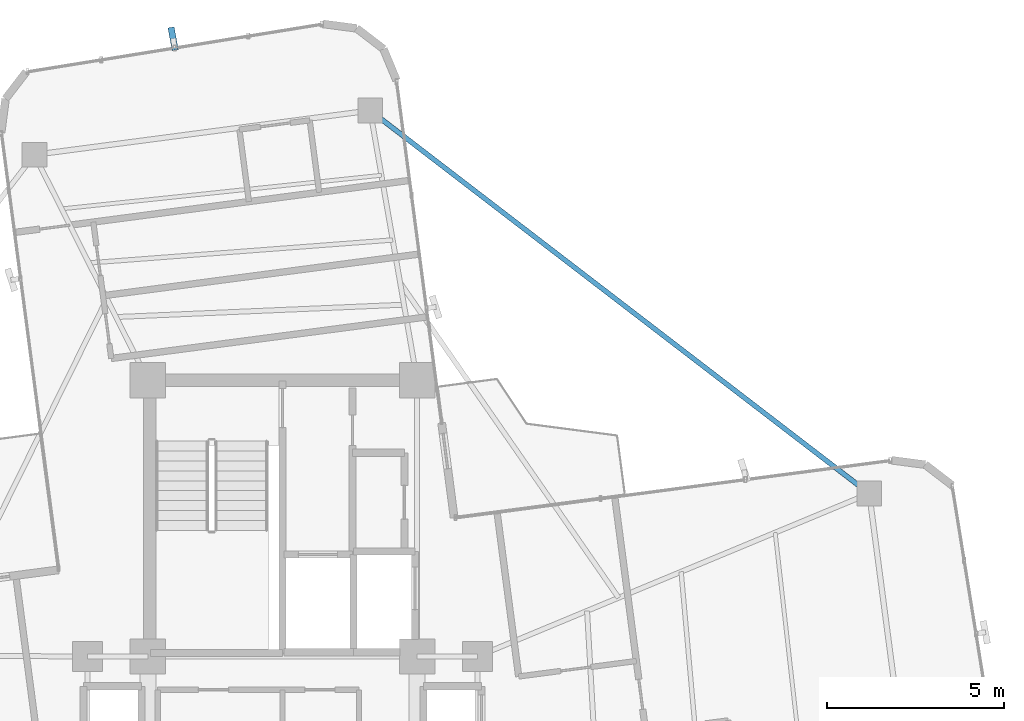
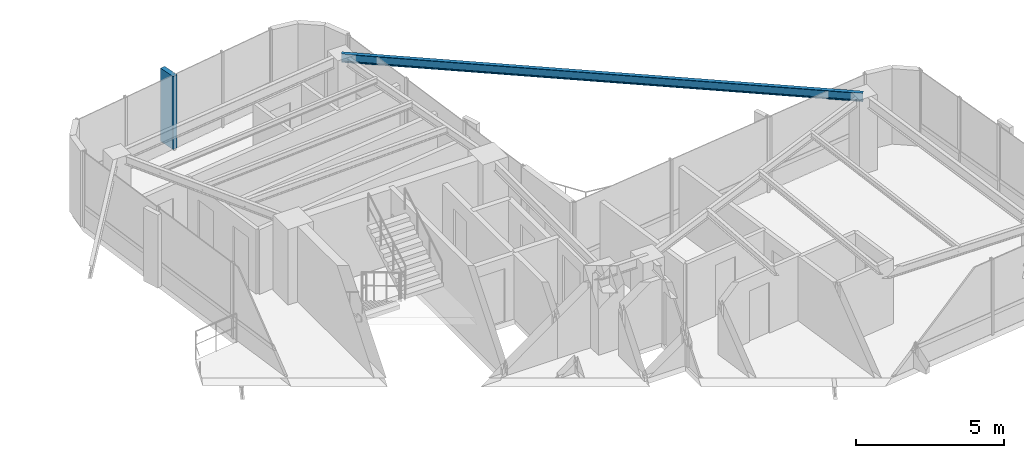
# One storey, part 15 of 22: 1 beam, 1 member, 1 element without a shape of its own.
"""IFC4 building model written with IfcOpenShell, lengths in metres."""

from ifc_helpers import new_model, si_unit, direction, frame, origin, origin_2d, place, context, subcontext, project, spatial, rectangle, i_section, extrude, source, transform, mapped, material, material_profile, profile_set, type_object, element, aggregate, save


model = new_model("IFC4")

# Units and contexts
model_context = context("Model", 3, precision=1e-05, world=origin(), true_north=direction((0.0, 1.0)))
body_context = subcontext(model_context, "Body", "Model", "MODEL_VIEW")
ifc_project = project(units=[si_unit("LENGTHUNIT", "METRE"), si_unit("AREAUNIT", "SQUARE_METRE"), si_unit("VOLUMEUNIT", "CUBIC_METRE"), si_unit("PLANEANGLEUNIT", "RADIAN"), si_unit("MASSUNIT", "GRAM", prefix="KILO")], contexts=[model_context])

# Site, building, storey
site_placement = place(None, origin())
site = spatial("IfcSite", under=ifc_project, at=site_placement, CompositionType="ELEMENT")
building_placement = place(site_placement, origin())
building = spatial("IfcBuilding", under=site, at=building_placement, Name="Sahyath Konkavel Grand Hotel", CompositionType="ELEMENT")
storey_placement = place(building_placement, frame((0.0, 0.0, 234.449951171875)))
storey = spatial("IfcBuildingStorey", under=building, at=storey_placement, Name="L65", CompositionType="ELEMENT", Elevation=234.449951171875)

# Beam
ifc_material_1 = material(Name="Steel E350", Category="steel")
ifc_material_profile_1 = material_profile(ifc_material_1, i_section(OverallWidth=0.139892578125, OverallDepth=0.35009765625, WebThickness=0.008056640625, FlangeThickness=0.01416015625, FilletRadius=0.013916015625, at=origin_2d()), Name="ISMB 350")
ifc_profile_set_1 = profile_set([ifc_material_profile_1], Name="Steel E350")
beam_type = type_object("IfcBeamType", Name="BM-ISMB350", PredefinedType="BEAM", material=ifc_profile_set_1)
shared_shape_1 = source(origin(), body_context, "Body", "SweptSolid", [
    extrude(i_section(OverallWidth=0.139892578125, OverallDepth=0.35009765625, WebThickness=0.008056640625, FlangeThickness=0.01416015625, FilletRadius=0.013916015625, at=origin_2d()), origin(), (0.0, 0.0, 1.0), 17.754150390625),
])
beam_placement = place(storey_placement, frame((16.560791015625, 7.00048828125, 2.93505859375), z_axis=(-0.793349328362, 0.608766657421, 0.0), x_axis=(-0.608766657421, -0.793349328362, 0.0)))
element("IfcBeam", 1, at=beam_placement, inside=storey, type_object=beam_type, Name="L65 Re-Entrant Tie Beam NE", PredefinedType="BEAM", context=body_context, shape_type="MappedRepresentation", body=[
    mapped(shared_shape_1, transform((0.0, 0.0, 0.0), scale=1.0)),
])

# Curtain wall, member
ifc_material_2 = material(Name="Anodised Bronze Aluminium & Low-E Glazing", Category="aluminium")
curtain_wall_type = type_object("IfcCurtainWallType", Name="CW-ZONE4", PredefinedType="NOTDEFINED", material=ifc_material_2)
curtain_wall_placement = place(storey_placement, origin())
curtain_wall = element("IfcCurtainWall", 2, at=curtain_wall_placement, inside=storey, type_object=curtain_wall_type, Name="L65 Unitised Curtain Wall F12", PredefinedType="NOTDEFINED")
ifc_material_3 = material(Name="Warm Buff Sandstone Cladding on Concrete C50/60", Category="masonry")
ifc_material_profile_2 = material_profile(ifc_material_3, rectangle(XDim=0.179931640625, YDim=0.64990234375, at=origin_2d()), Name="FIN 180x650")
ifc_profile_set_2 = profile_set([ifc_material_profile_2], Name="Warm Buff Sandstone Cladding on Concrete C50/60")
member_type = type_object("IfcMemberType", Name="FIN-SANDSTONE-650", PredefinedType="MULLION", material=ifc_profile_set_2)
shared_shape_2 = source(origin(), body_context, "Body", "SweptSolid", [
    extrude(rectangle(XDim=0.179931640625, YDim=0.64990234375, at=origin_2d()), origin(), (0.0, 0.0, 1.0), 3.010009765625),
])
member_placement = place(storey_placement, frame((-3.085693359375, 19.8359375, 0.050048828125), z_axis=(0.0, 0.0, 1.0), x_axis=(0.982999500399, 0.183608230249, 0.0)))
member = element("IfcMember", 3, at=member_placement, type_object=member_type, Name="L65 Sandstone Vertical Solar Fin FIN F12-2", PredefinedType="MULLION", context=body_context, shape_type="MappedRepresentation", body=[
    mapped(shared_shape_2, transform((0.0, 0.0, 0.0), scale=1.0)),
])
aggregate(curtain_wall, [member])

save(model, "model.ifc")
